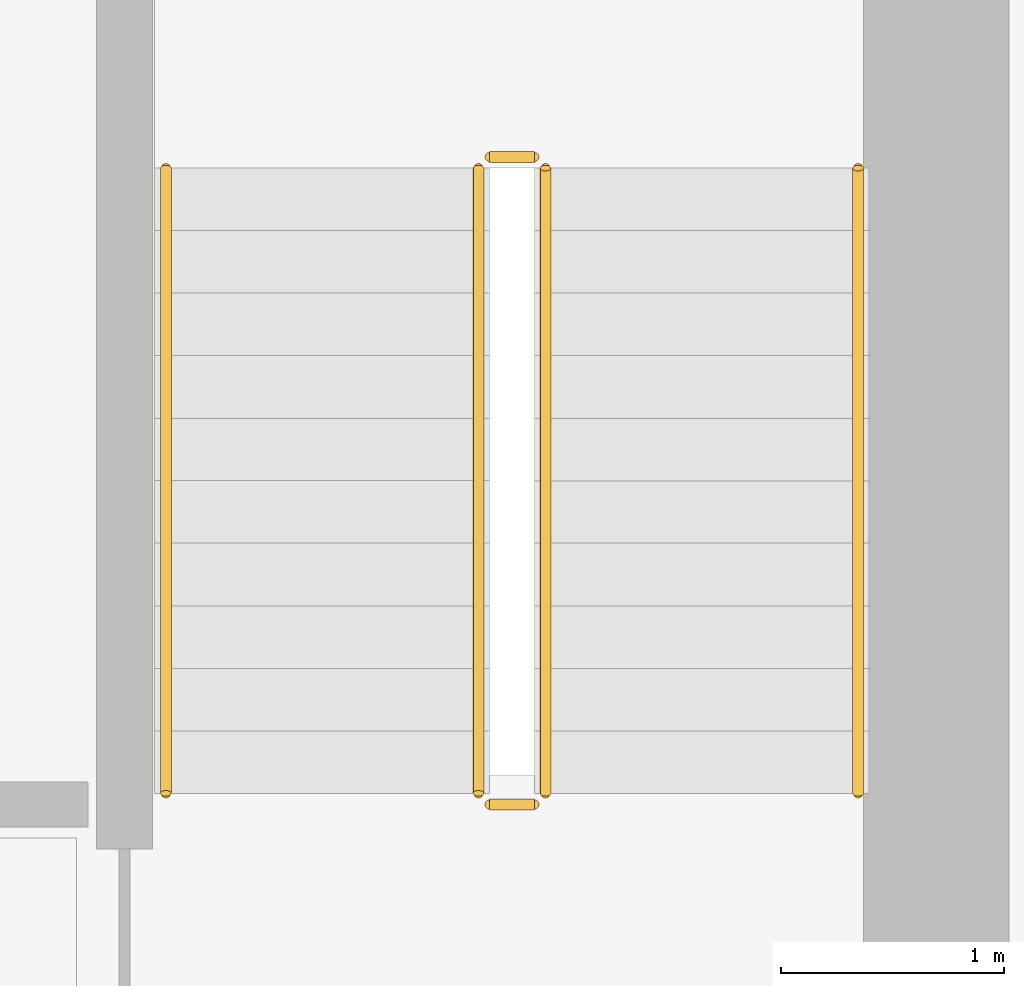
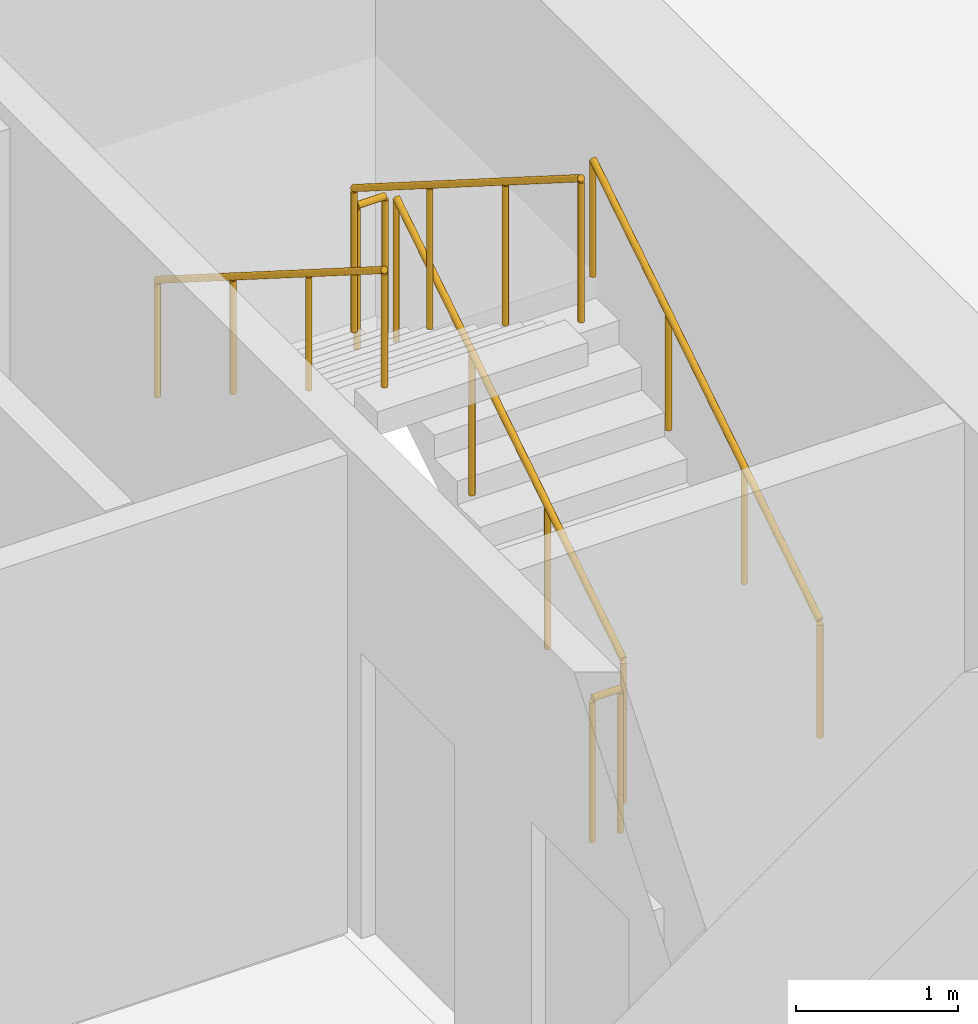
# One storey, part 8 of 10: 6 railings.
"""IFC4 building model written with IfcOpenShell, lengths in metres."""

from ifc_helpers import new_model, si_unit, direction, frame, origin, origin_2d, place, context, subcontext, project, spatial, circle, extrude, material, type_object, element, save


model = new_model("IFC4")

# Units and contexts
model_context = context("Model", 3, precision=1e-05, world=origin(), true_north=direction((0.0, 1.0)))
body_context = subcontext(model_context, "Body", "Model", "MODEL_VIEW")
ifc_project = project(units=[si_unit("LENGTHUNIT", "METRE"), si_unit("AREAUNIT", "SQUARE_METRE"), si_unit("VOLUMEUNIT", "CUBIC_METRE"), si_unit("PLANEANGLEUNIT", "RADIAN"), si_unit("MASSUNIT", "GRAM", prefix="KILO")], contexts=[model_context])

# Site, building, storey
site_placement = place(None, origin())
site = spatial("IfcSite", under=ifc_project, at=site_placement, CompositionType="ELEMENT")
building_placement = place(site_placement, origin())
building = spatial("IfcBuilding", under=site, at=building_placement, Name="Kranthara Brick Stack", CompositionType="ELEMENT")
storey_placement = place(building_placement, frame((0.0, 0.0, 102.300048828125)))
storey = spatial("IfcBuildingStorey", under=building, at=storey_placement, Name="L25", CompositionType="ELEMENT", Elevation=102.300048828125)

# Railings
ifc_material_1 = material(Name="Painted galvanized steel stair guardrail", Category="steel")
railing_type_1 = type_object("IfcRailingType", Name="RL-STAIR-GUARD-1100", PredefinedType="GUARDRAIL", material=ifc_material_1)
railing_1_placement = place(storey_placement, frame((41.449951171875, 25.199951171875, 0.17724609375)))
element("IfcRailing", 1, at=railing_1_placement, inside=storey, type_object=railing_type_1, Name="L25 ST02 stair guard 1", PredefinedType="GUARDRAIL", context=body_context, shape_type="SweptSolid", body=[
    extrude(circle(Radius=0.02392578125, at=origin_2d()), frame((0.0, 0.0, 1.076171875), z_axis=(0.0, 0.844908973607, 0.534910110503), x_axis=(-1.0, 0.0, 0.0)), (0.0, 0.0, 1.0), 3.31396484375),
    extrude(circle(Radius=0.02099609375, at=origin_2d()), origin(), (0.0, 0.0, 1.0), 1.052001953125),
    extrude(circle(Radius=0.02099609375, at=origin_2d()), frame((0.0, 0.933349609375, 0.5908203125)), (0.0, 0.0, 1.0), 1.052001953125),
    extrude(circle(Radius=0.02099609375, at=origin_2d()), frame((0.0, 1.86669921875, 1.181884765625)), (0.0, 0.0, 1.0), 1.052001953125),
    extrude(circle(Radius=0.02099609375, at=origin_2d()), frame((0.0, 2.800048828125, 1.772705078125)), (0.0, 0.0, 1.0), 1.052001953125),
])
railing_2_placement = place(storey_placement, frame((41.39990234375, 28.050048828125, 1.949951171875)))
element("IfcRailing", 2, at=railing_2_placement, inside=storey, type_object=railing_type_1, Name="L25 ST02 stair guard 2", PredefinedType="GUARDRAIL", context=body_context, shape_type="SweptSolid", body=[
    extrude(circle(Radius=0.02392578125, at=origin_2d()), frame((0.0, 0.0, 1.076171875), z_axis=(-1.0, 0.0, 0.0), x_axis=(0.0, -1.0, 0.0)), (0.0, 0.0, 1.0), 0.199951171875),
    extrude(circle(Radius=0.02099609375, at=origin_2d()), origin(), (0.0, 0.0, 1.0), 1.052001953125),
    extrude(circle(Radius=0.02099609375, at=origin_2d()), frame((-0.199951171875, 0.0, 0.0)), (0.0, 0.0, 1.0), 1.052001953125),
])
railing_3_placement = place(storey_placement, frame((41.14990234375, 28.0, 2.127197265625)))
element("IfcRailing", 3, at=railing_3_placement, inside=storey, type_object=railing_type_1, Name="L25 ST02 stair guard 3", PredefinedType="GUARDRAIL", context=body_context, shape_type="SweptSolid", body=[
    extrude(circle(Radius=0.02392578125, at=origin_2d()), frame((0.0, 0.0, 1.076171875), z_axis=(0.0, -0.844908973607, 0.534910110503), x_axis=(1.0, 0.0, 0.0)), (0.0, 0.0, 1.0), 3.31396484375),
    extrude(circle(Radius=0.02099609375, at=origin_2d()), origin(), (0.0, 0.0, 1.0), 1.052001953125),
    extrude(circle(Radius=0.02099609375, at=origin_2d()), frame((0.0, -0.933349609375, 0.5908203125)), (0.0, 0.0, 1.0), 1.052001953125),
    extrude(circle(Radius=0.02099609375, at=origin_2d()), frame((0.0, -1.86669921875, 1.181884765625)), (0.0, 0.0, 1.0), 1.052001953125),
    extrude(circle(Radius=0.02099609375, at=origin_2d()), frame((0.0, -2.800048828125, 1.772705078125)), (0.0, 0.0, 1.0), 1.052001953125),
])
railing_4_placement = place(storey_placement, frame((41.39990234375, 25.14990234375, 0.0)))
element("IfcRailing", 4, at=railing_4_placement, inside=storey, type_object=railing_type_1, Name="L25 ST02 stair guard 4", PredefinedType="GUARDRAIL", context=body_context, shape_type="SweptSolid", body=[
    extrude(circle(Radius=0.02392578125, at=origin_2d()), frame((0.0, 0.0, 1.076171875), z_axis=(-1.0, 0.0, 0.0), x_axis=(0.0, -1.0, 0.0)), (0.0, 0.0, 1.0), 0.199951171875),
    extrude(circle(Radius=0.02099609375, at=origin_2d()), origin(), (0.0, 0.0, 1.0), 1.052001953125),
    extrude(circle(Radius=0.02099609375, at=origin_2d()), frame((-0.199951171875, 0.0, 0.0)), (0.0, 0.0, 1.0), 1.052001953125),
])
ifc_material_2 = material(Name="Brushed stainless steel tubular handrail", Category="steel")
railing_type_2 = type_object("IfcRailingType", Name="RL-STAIR-HAND-900", PredefinedType="HANDRAIL", material=ifc_material_2)
railing_5_placement = place(storey_placement, frame((42.85009765625, 25.199951171875, 0.17724609375)))
element("IfcRailing", 5, at=railing_5_placement, inside=storey, type_object=railing_type_2, Name="L25 ST02 stair handrail 1", PredefinedType="HANDRAIL", context=body_context, shape_type="SweptSolid", body=[
    extrude(circle(Radius=0.02392578125, at=origin_2d()), frame((0.0, 0.0, 0.8759765625), z_axis=(0.0, 0.844908973607, 0.534910110503), x_axis=(-1.0, 0.0, 0.0)), (0.0, 0.0, 1.0), 3.31396484375),
    extrude(circle(Radius=0.02099609375, at=origin_2d()), origin(), (0.0, 0.0, 1.0), 0.851806640625),
    extrude(circle(Radius=0.02099609375, at=origin_2d()), frame((0.0, 0.933349609375, 0.5908203125)), (0.0, 0.0, 1.0), 0.851806640625),
    extrude(circle(Radius=0.02099609375, at=origin_2d()), frame((0.0, 1.86669921875, 1.181884765625)), (0.0, 0.0, 1.0), 0.851806640625),
    extrude(circle(Radius=0.02099609375, at=origin_2d()), frame((0.0, 2.800048828125, 1.772705078125)), (0.0, 0.0, 1.0), 0.851806640625),
])
railing_6_placement = place(storey_placement, frame((39.75, 28.0, 2.127197265625)))
element("IfcRailing", 6, at=railing_6_placement, inside=storey, type_object=railing_type_2, Name="L25 ST02 stair handrail 2", PredefinedType="HANDRAIL", context=body_context, shape_type="SweptSolid", body=[
    extrude(circle(Radius=0.02392578125, at=origin_2d()), frame((0.0, 0.0, 0.8759765625), z_axis=(0.0, -0.844908973607, 0.534910110503), x_axis=(1.0, 0.0, 0.0)), (0.0, 0.0, 1.0), 3.31396484375),
    extrude(circle(Radius=0.02099609375, at=origin_2d()), origin(), (0.0, 0.0, 1.0), 0.851806640625),
    extrude(circle(Radius=0.02099609375, at=origin_2d()), frame((0.0, -0.933349609375, 0.5908203125)), (0.0, 0.0, 1.0), 0.851806640625),
    extrude(circle(Radius=0.02099609375, at=origin_2d()), frame((0.0, -1.86669921875, 1.181884765625)), (0.0, 0.0, 1.0), 0.851806640625),
    extrude(circle(Radius=0.02099609375, at=origin_2d()), frame((0.0, -2.800048828125, 1.772705078125)), (0.0, 0.0, 1.0), 0.851806640625),
])

save(model, "model.ifc")
